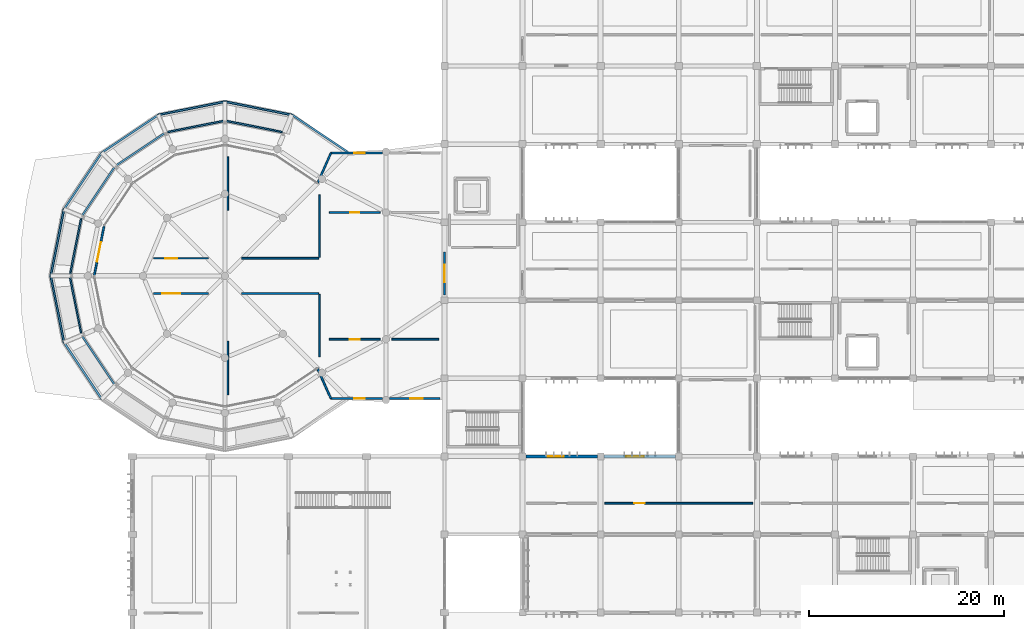
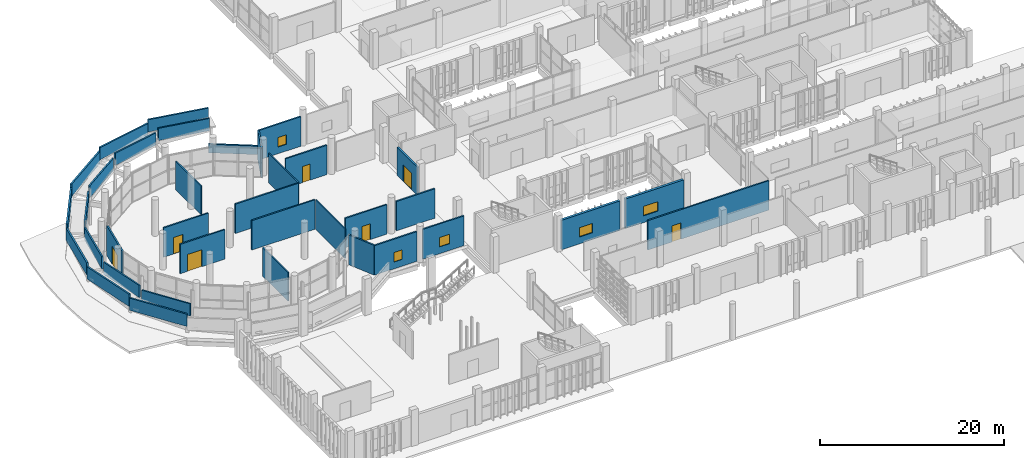
# One storey, part 83 of 117: 36 walls, 7 doors, 5 windows, 12 openings.
"""IFC4 building model written with IfcOpenShell, lengths in metres."""

from ifc_helpers import new_model, si_unit, direction, frame, frame_2d, origin, place, context, subcontext, project, spatial, rectangle, extrude, material, layer, layer_set, type_object, element, fill, save


model = new_model("IFC4")

# Units and contexts
model_context = context("Model", 3, precision=1e-05, world=origin(), true_north=direction((0.0, 1.0)))
body_context = subcontext(model_context, "Body", "Model", "MODEL_VIEW")
ifc_project = project(units=[si_unit("LENGTHUNIT", "METRE"), si_unit("AREAUNIT", "SQUARE_METRE"), si_unit("VOLUMEUNIT", "CUBIC_METRE"), si_unit("PLANEANGLEUNIT", "RADIAN"), si_unit("MASSUNIT", "GRAM", prefix="KILO")], contexts=[model_context])

# Site, building, storey
site_placement = place(None, origin())
site = spatial("IfcSite", under=ifc_project, at=site_placement, CompositionType="ELEMENT")
building_placement = place(site_placement, origin())
building = spatial("IfcBuilding", under=site, at=building_placement, Name="Jelvoka-Kovrelna Polytechnic", CompositionType="ELEMENT")
storey_placement = place(building_placement, origin())
storey = spatial("IfcBuildingStorey", under=building, at=storey_placement, Name="L01", CompositionType="ELEMENT", Elevation=0.0)

# Wall, opening, door
ifc_material_1 = material(Name="Concrete C35/45", Category="concrete")
ifc_layer_1 = layer(ifc_material_1, 0.219970703125)
ifc_layer_set_1 = layer_set([ifc_layer_1], Name="Concrete C35/45")
wall_type_1 = type_object("IfcWallType", Name="Wall_Compartment_220", PredefinedType="PARTITIONING", material=ifc_layer_set_1)
wall_1_placement = place(storey_placement, frame((48.0, 40.550048828125, 0.0), z_axis=(0.0, 0.0, 1.0), x_axis=(0.0, 1.0, 0.0)))
wall_1 = element("IfcWall", 1, at=wall_1_placement, inside=storey, type_object=wall_type_1, Name="L01 interior wall 1326", PredefinedType="PARTITIONING", context=body_context, shape_type="SweptSolid", body=[
    extrude(rectangle(XDim=4.39990234375, YDim=0.219970703125, at=frame_2d((2.199951171875, 0.0))), origin(), (0.0, 0.0, 1.0), 3.760009765625),
])
opening_1_placement = place(wall_1_placement, frame((1.300048828125, 0.0, 0.0)))
opening_1 = element("IfcOpeningElement", 2, at=opening_1_placement, cuts=wall_1, Name="Opening FD-L01-478", PredefinedType="OPENING", context=body_context, shape_type="SweptSolid", body=[
    extrude(rectangle(XDim=1.800048828125, YDim=2.199951171875, at=frame_2d((0.89990234375, 1.10009765625))), frame((0.0, 0.119873046875, 0.0), z_axis=(0.0, -1.0, 0.0), x_axis=(1.0, 0.0, 0.0)), (0.0, 0.0, 1.0), 0.239990234375),
])
ifc_material_2 = material(Name="Paired steel corridor fire door", Category="steel")
door_type_1 = type_object("IfcDoorType", Name="Door_Fire_FD03", OperationType="NOTDEFINED", PredefinedType="DOOR", material=ifc_material_2)
door_1_placement = place(opening_1_placement, origin())
door_1 = element("IfcDoor", 3, at=door_1_placement, inside=storey, type_object=door_type_1, Name="L01 interior door FD-L01-478", OperationType="DOUBLE_DOOR_SINGLE_SWING", OverallHeight=2.199951171875, OverallWidth=1.800048828125, PredefinedType="DOOR", context=body_context, shape_type="SweptSolid", body=[
    extrude(rectangle(XDim=1.800048828125, YDim=2.199951171875, at=frame_2d((0.89990234375, 1.10009765625))), frame((0.0, 0.02490234375, 0.0), z_axis=(0.0, -1.0, 0.0), x_axis=(1.0, 0.0, 0.0)), (0.0, 0.0, 1.0), 0.050048828125),
])
fill(opening_1, door_1)

ifc_material_3 = material(Name="Autoclaved aerated concrete blockwork", Category="masonry")
ifc_layer_2 = layer(ifc_material_3, 0.179931640625)
ifc_layer_set_2 = layer_set([ifc_layer_2], Name="Autoclaved aerated concrete blockwork")
wall_type_2 = type_object("IfcWallType", Name="Wall_Corridor_180", PredefinedType="PARTITIONING", material=ifc_layer_set_2)
wall_2_placement = place(storey_placement, frame((64.429931640625, 19.199951171875, 0.0), z_axis=(0.0, 0.0, 1.0), x_axis=(1.0, 0.0, 0.0)))
wall_2 = element("IfcWall", 4, at=wall_2_placement, inside=storey, type_object=wall_type_2, Name="L01 interior wall 0860", PredefinedType="PARTITIONING", context=body_context, shape_type="SweptSolid", body=[
    extrude(rectangle(XDim=15.14013671875, YDim=0.179931640625, at=frame_2d((7.570068359375, 0.0))), origin(), (0.0, 0.0, 1.0), 3.89990234375),
])
opening_2_placement = place(wall_2_placement, frame((3.030029296875, 0.0, 0.0)))
opening_2 = element("IfcOpeningElement", 5, at=opening_2_placement, cuts=wall_2, Name="Opening D-L01-161", PredefinedType="OPENING", context=body_context, shape_type="SweptSolid", body=[
    extrude(rectangle(XDim=1.080078125, YDim=2.14990234375, at=frame_2d((0.5400390625, 1.074951171875))), frame((0.0, 0.099853515625, 0.0), z_axis=(0.0, -1.0, 0.0), x_axis=(1.0, 0.0, 0.0)), (0.0, 0.0, 1.0), 0.199951171875),
])
ifc_material_4 = material(Name="Hardwood acoustic seminar door", Category="wood")
door_type_2 = type_object("IfcDoorType", Name="Door_Int_D10", OperationType="NOTDEFINED", PredefinedType="DOOR", material=ifc_material_4)
door_2_placement = place(opening_2_placement, origin())
door_2 = element("IfcDoor", 6, at=door_2_placement, inside=storey, type_object=door_type_2, Name="L01 interior door D-L01-161", OperationType="SINGLE_SWING_RIGHT", OverallHeight=2.14990234375, OverallWidth=1.080078125, PredefinedType="DOOR", context=body_context, shape_type="SweptSolid", body=[
    extrude(rectangle(XDim=1.080078125, YDim=2.14990234375, at=frame_2d((0.5400390625, 1.074951171875))), frame((0.0, 0.02490234375, 0.0), z_axis=(0.0, -1.0, 0.0), x_axis=(1.0, 0.0, 0.0)), (0.0, 0.0, 1.0), 0.050048828125),
])
fill(opening_2, door_2)

# Wall
wall_3_placement = place(storey_placement, frame((42.60009765625, 36.0, 0.0), z_axis=(0.0, 0.0, 1.0), x_axis=(1.0, 0.0, 0.0)))
element("IfcWall", 7, at=wall_3_placement, inside=storey, type_object=wall_type_2, Name="L01 interior wall 0921", PredefinedType="PARTITIONING", context=body_context, shape_type="SweptSolid", body=[
    extrude(rectangle(XDim=4.7998046875, YDim=0.179931640625, at=frame_2d((2.39990234375, 0.0))), origin(), (0.0, 0.0, 1.0), 3.89990234375),
])

# Wall, opening, door
wall_4_placement = place(storey_placement, frame((36.199951171875, 36.0, 0.0), z_axis=(0.0, 0.0, 1.0), x_axis=(1.0, 0.0, 0.0)))
wall_4 = element("IfcWall", 8, at=wall_4_placement, inside=storey, type_object=wall_type_2, Name="L01 interior wall 0923", PredefinedType="PARTITIONING", context=body_context, shape_type="SweptSolid", body=[
    extrude(rectangle(XDim=5.199951171875, YDim=0.179931640625, at=frame_2d((2.60009765625, 0.0))), origin(), (0.0, 0.0, 1.0), 3.89990234375),
])
opening_3_placement = place(wall_4_placement, frame((2.090087890625, 0.0, 0.0)))
opening_3 = element("IfcOpeningElement", 9, at=opening_3_placement, cuts=wall_4, Name="Opening D-L01-205", PredefinedType="OPENING", context=body_context, shape_type="SweptSolid", body=[
    extrude(rectangle(XDim=1.02001953125, YDim=2.10009765625, at=frame_2d((0.510009765625, 1.050048828125))), frame((0.0, 0.099853515625, 0.0), z_axis=(0.0, -1.0, 0.0), x_axis=(1.0, 0.0, 0.0)), (0.0, 0.0, 1.0), 0.199951171875),
])
ifc_material_5 = material(Name="Hardwood solid-core door", Category="wood")
door_type_3 = type_object("IfcDoorType", Name="Door_Int_D04", OperationType="NOTDEFINED", PredefinedType="DOOR", material=ifc_material_5)
door_3_placement = place(opening_3_placement, origin())
door_3 = element("IfcDoor", 10, at=door_3_placement, inside=storey, type_object=door_type_3, Name="L01 interior door D-L01-205", OperationType="SINGLE_SWING_RIGHT", OverallHeight=2.10009765625, OverallWidth=1.02001953125, PredefinedType="DOOR", context=body_context, shape_type="SweptSolid", body=[
    extrude(rectangle(XDim=1.02001953125, YDim=2.10009765625, at=frame_2d((0.510009765625, 1.050048828125))), frame((0.0, 0.02490234375, 0.0), z_axis=(0.0, -1.0, 0.0), x_axis=(1.0, 0.0, 0.0)), (0.0, 0.0, 1.0), 0.050048828125),
])
fill(opening_3, door_3)

wall_5_placement = place(storey_placement, frame((36.199951171875, 49.0, 0.0), z_axis=(0.0, 0.0, 1.0), x_axis=(1.0, 0.0, 0.0)))
wall_5 = element("IfcWall", 11, at=wall_5_placement, inside=storey, type_object=wall_type_2, Name="L01 interior wall 0926", PredefinedType="PARTITIONING", context=body_context, shape_type="SweptSolid", body=[
    extrude(rectangle(XDim=5.199951171875, YDim=0.179931640625, at=frame_2d((2.60009765625, 0.0))), origin(), (0.0, 0.0, 1.0), 3.89990234375),
])
opening_4_placement = place(wall_5_placement, frame((2.1201171875, 0.0, 0.0)))
opening_4 = element("IfcOpeningElement", 12, at=opening_4_placement, cuts=wall_5, Name="Opening D-L01-206", PredefinedType="OPENING", context=body_context, shape_type="SweptSolid", body=[
    extrude(rectangle(XDim=0.9599609375, YDim=2.14990234375, at=frame_2d((0.47998046875, 1.074951171875))), frame((0.0, 0.099853515625, 0.0), z_axis=(0.0, -1.0, 0.0), x_axis=(1.0, 0.0, 0.0)), (0.0, 0.0, 1.0), 0.199951171875),
])
ifc_material_6 = material(Name="Hardwood solid-core door", Category="wood")
door_type_4 = type_object("IfcDoorType", Name="Door_Int_D07", OperationType="NOTDEFINED", PredefinedType="DOOR", material=ifc_material_6)
door_4_placement = place(opening_4_placement, origin())
door_4 = element("IfcDoor", 13, at=door_4_placement, inside=storey, type_object=door_type_4, Name="L01 interior door D-L01-206", OperationType="SINGLE_SWING_LEFT", OverallHeight=2.14990234375, OverallWidth=0.9599609375, PredefinedType="DOOR", context=body_context, shape_type="SweptSolid", body=[
    extrude(rectangle(XDim=0.9599609375, YDim=2.14990234375, at=frame_2d((0.47998046875, 1.074951171875))), frame((0.0, 0.02490234375, 0.0), z_axis=(0.0, -1.0, 0.0), x_axis=(1.0, 0.0, 0.0)), (0.0, 0.0, 1.0), 0.050048828125),
])
fill(opening_4, door_4)

# Wall
wall_6_placement = place(storey_placement, frame((27.199951171875, 40.699951171875, 0.0), z_axis=(0.0, 0.0, 1.0), x_axis=(1.0, 0.0, 0.0)))
element("IfcWall", 14, at=wall_6_placement, inside=storey, type_object=wall_type_2, Name="L01 interior wall 0927", PredefinedType="PARTITIONING", context=body_context, shape_type="SweptSolid", body=[
    extrude(rectangle(XDim=7.900146484375, YDim=0.179931640625, at=frame_2d((3.9501953125, 0.0))), origin(), (0.0, 0.0, 1.0), 3.89990234375),
])

# Wall, opening, door
wall_7_placement = place(storey_placement, frame((18.199951171875, 40.699951171875, 0.0), z_axis=(0.0, 0.0, 1.0), x_axis=(1.0, 0.0, 0.0)))
wall_7 = element("IfcWall", 15, at=wall_7_placement, inside=storey, type_object=wall_type_2, Name="L01 interior wall 0929", PredefinedType="PARTITIONING", context=body_context, shape_type="SweptSolid", body=[
    extrude(rectangle(XDim=5.60009765625, YDim=0.179931640625, at=frame_2d((2.800048828125, 0.0))), origin(), (0.0, 0.0, 1.0), 3.89990234375),
])
opening_5_placement = place(wall_7_placement, frame((0.889892578125, 0.0, 0.0)))
opening_5 = element("IfcOpeningElement", 16, at=opening_5_placement, cuts=wall_7, Name="Opening D-L01-207", PredefinedType="OPENING", context=body_context, shape_type="SweptSolid", body=[
    extrude(rectangle(XDim=1.820068359375, YDim=2.25, at=frame_2d((0.91015625, 1.125))), frame((0.0, 0.099853515625, 0.0), z_axis=(0.0, -1.0, 0.0), x_axis=(1.0, 0.0, 0.0)), (0.0, 0.0, 1.0), 0.199951171875),
])
ifc_material_7 = material(Name="Paired hardwood fire-resisting assembly door", Category="wood")
door_type_5 = type_object("IfcDoorType", Name="Door_Fire_FD30_10", OperationType="NOTDEFINED", PredefinedType="DOOR", material=ifc_material_7)
door_5_placement = place(opening_5_placement, origin())
door_5 = element("IfcDoor", 17, at=door_5_placement, inside=storey, type_object=door_type_5, Name="L01 interior door D-L01-207", OperationType="DOUBLE_DOOR_SINGLE_SWING", OverallHeight=2.25, OverallWidth=1.820068359375, PredefinedType="DOOR", context=body_context, shape_type="SweptSolid", body=[
    extrude(rectangle(XDim=1.820068359375, YDim=2.25, at=frame_2d((0.91015625, 1.125))), frame((0.0, 0.02490234375, 0.0), z_axis=(0.0, -1.0, 0.0), x_axis=(1.0, 0.0, 0.0)), (0.0, 0.0, 1.0), 0.050048828125),
])
fill(opening_5, door_5)

# Wall
wall_8_placement = place(storey_placement, frame((27.199951171875, 44.300048828125, 0.0), z_axis=(0.0, 0.0, 1.0), x_axis=(1.0, 0.0, 0.0)))
element("IfcWall", 18, at=wall_8_placement, inside=storey, type_object=wall_type_2, Name="L01 interior wall 0930", PredefinedType="PARTITIONING", context=body_context, shape_type="SweptSolid", body=[
    extrude(rectangle(XDim=7.900146484375, YDim=0.179931640625, at=frame_2d((3.9501953125, 0.0))), origin(), (0.0, 0.0, 1.0), 3.89990234375),
])

# Wall, opening, door
wall_9_placement = place(storey_placement, frame((18.199951171875, 44.300048828125, 0.0), z_axis=(0.0, 0.0, 1.0), x_axis=(1.0, 0.0, 0.0)))
wall_9 = element("IfcWall", 19, at=wall_9_placement, inside=storey, type_object=wall_type_2, Name="L01 interior wall 0932", PredefinedType="PARTITIONING", context=body_context, shape_type="SweptSolid", body=[
    extrude(rectangle(XDim=5.60009765625, YDim=0.179931640625, at=frame_2d((2.800048828125, 0.0))), origin(), (0.0, 0.0, 1.0), 3.89990234375),
])
opening_6_placement = place(wall_9_placement, frame((1.199951171875, 0.0, 0.0)))
opening_6 = element("IfcOpeningElement", 20, at=opening_6_placement, cuts=wall_9, Name="Opening D-L01-208", PredefinedType="OPENING", context=body_context, shape_type="SweptSolid", body=[
    extrude(rectangle(XDim=1.199951171875, YDim=2.199951171875, at=frame_2d((0.60009765625, 1.10009765625))), frame((0.0, 0.099853515625, 0.0), z_axis=(0.0, -1.0, 0.0), x_axis=(1.0, 0.0, 0.0)), (0.0, 0.0, 1.0), 0.199951171875),
])
ifc_material_8 = material(Name="Laboratory vision-panel door", Category="wood")
door_type_6 = type_object("IfcDoorType", Name="Door_Int_D13", OperationType="NOTDEFINED", PredefinedType="DOOR", material=ifc_material_8)
door_6_placement = place(opening_6_placement, origin())
door_6 = element("IfcDoor", 21, at=door_6_placement, inside=storey, type_object=door_type_6, Name="L01 interior door D-L01-208", OperationType="SINGLE_SWING_RIGHT", OverallHeight=2.199951171875, OverallWidth=1.199951171875, PredefinedType="DOOR", context=body_context, shape_type="SweptSolid", body=[
    extrude(rectangle(XDim=1.199951171875, YDim=2.199951171875, at=frame_2d((0.60009765625, 1.10009765625))), frame((0.0, 0.02490234375, 0.0), z_axis=(0.0, -1.0, 0.0), x_axis=(1.0, 0.0, 0.0)), (0.0, 0.0, 1.0), 0.050048828125),
])
fill(opening_6, door_6)

ifc_material_9 = material(Name="Precast concrete C40/50", Category="concrete")
ifc_layer_3 = layer(ifc_material_9, 0.18505859375)
ifc_layer_set_3 = layer_set([ifc_layer_3], Name="Precast concrete C40/50")
wall_type_3 = type_object("IfcWallType", Name="Wall_Ext_White_260", PredefinedType="STANDARD", material=ifc_layer_set_3)
wall_10_placement = place(storey_placement, frame((12.10009765625, 42.5, 0.0), z_axis=(0.0, 0.0, 1.0), x_axis=(0.195092326952, 0.980784881595, 0.0)))
wall_10 = element("IfcWall", 22, at=wall_10_placement, inside=storey, type_object=wall_type_3, Name="L01 exterior wall 0956", PredefinedType="STANDARD", context=body_context, shape_type="SweptSolid", body=[
    extrude(rectangle(XDim=5.228515625, YDim=0.18505859375, at=frame_2d((2.6142578125, 0.0))), origin(), (0.0, 0.0, 1.0), 3.949951171875),
])
opening_7_placement = place(wall_10_placement, frame((1.5, 0.0, 0.0)))
opening_7 = element("IfcOpeningElement", 23, at=opening_7_placement, cuts=wall_10, Name="Opening E-L01-030", PredefinedType="OPENING", context=body_context, shape_type="SweptSolid", body=[
    extrude(rectangle(XDim=2.0, YDim=2.39990234375, at=frame_2d((1.0, 1.199951171875))), frame((0.0, 0.1025390625, 0.0), z_axis=(0.0, -1.0, 0.0), x_axis=(1.0, 0.0, 0.0)), (0.0, 0.0, 1.0), 0.205078125),
])
ifc_material_10 = material(Name="Powder-coated aluminium and laminated safety glass", Category="aluminium")
door_type_7 = type_object("IfcDoorType", Name="Door_Ext_Exit_2000x2400", OperationType="NOTDEFINED", PredefinedType="DOOR", material=ifc_material_10)
door_7_placement = place(opening_7_placement, origin())
door_7 = element("IfcDoor", 24, at=door_7_placement, inside=storey, type_object=door_type_7, Name="L01 exterior door E-L01-030", OperationType="DOUBLE_DOOR_SINGLE_SWING", OverallHeight=2.39990234375, OverallWidth=2.0, PredefinedType="DOOR", context=body_context, shape_type="SweptSolid", body=[
    extrude(rectangle(XDim=2.0, YDim=2.39990234375, at=frame_2d((1.0, 1.199951171875))), frame((0.0, 0.02490234375, 0.0), z_axis=(0.0, -1.0, 0.0), x_axis=(1.0, 0.0, 0.0)), (0.0, 0.0, 1.0), 0.050048828125),
])
fill(opening_7, door_7)

# Wall
wall_11_placement = place(storey_placement, frame((34.97509765625, 51.97509765625, 0.0), z_axis=(0.0, 0.0, 1.0), x_axis=(0.40761125598, 0.913155553013, 0.0)))
element("IfcWall", 25, at=wall_11_placement, inside=storey, type_object=wall_type_3, Name="L01 exterior wall 0957", PredefinedType="STANDARD", context=body_context, shape_type="SweptSolid", body=[
    extrude(rectangle(XDim=3.39794921875, YDim=0.18505859375, at=frame_2d((1.698974609375, 0.0))), origin(), (0.0, 0.0, 1.0), 3.949951171875),
])

# Wall, opening, window
wall_12_placement = place(storey_placement, frame((36.340087890625, 55.077880859375, 0.0), z_axis=(0.0, 0.0, 1.0), x_axis=(1.0, 0.0, 0.0)))
wall_12 = element("IfcWall", 26, at=wall_12_placement, inside=storey, type_object=wall_type_3, Name="L01 exterior wall 0958", PredefinedType="STANDARD", context=body_context, shape_type="SweptSolid", body=[
    extrude(rectangle(XDim=5.287841796875, YDim=0.18505859375, at=frame_2d((2.64404296875, 0.0))), origin(), (0.0, 0.0, 1.0), 3.925048828125),
])
opening_8_placement = place(wall_12_placement, frame((2.409912109375, 0.0, 0.89990234375)))
opening_8 = element("IfcOpeningElement", 27, at=opening_8_placement, cuts=wall_12, Name="Opening W-L01-539", PredefinedType="OPENING", context=body_context, shape_type="SweptSolid", body=[
    extrude(rectangle(XDim=1.050048828125, YDim=1.25, at=frame_2d((0.52490234375, 0.625))), frame((0.0, 0.1025390625, 0.0), z_axis=(0.0, -1.0, 0.0), x_axis=(1.0, 0.0, 0.0)), (0.0, 0.0, 1.0), 0.205078125),
])
ifc_material_11 = material(Name="Thermally broken anodised aluminium and low-e glazing", Category="aluminium")
window_type_1 = type_object("IfcWindowType", Name="Win_Casement_W01", PartitioningType="SINGLE_PANEL", PredefinedType="WINDOW", material=ifc_material_11)
window_1_placement = place(opening_8_placement, origin())
window_1 = element("IfcWindow", 28, at=window_1_placement, inside=storey, type_object=window_type_1, Name="L01 aluminium casement window W-L01-539", OverallHeight=1.25, OverallWidth=1.050048828125, PartitioningType="SINGLE_PANEL", PredefinedType="WINDOW", context=body_context, shape_type="SweptSolid", body=[
    extrude(rectangle(XDim=1.050048828125, YDim=1.25, at=frame_2d((0.52490234375, 0.625))), frame((0.0, 0.030029296875, 0.0), z_axis=(0.0, -1.0, 0.0), x_axis=(1.0, 0.0, 0.0)), (0.0, 0.0, 1.0), 0.06005859375),
])
fill(opening_8, window_1)

# Wall
wall_13_placement = place(storey_placement, frame((36.360107421875, 29.922119140625, 0.0), z_axis=(0.0, 0.0, 1.0), x_axis=(-0.40761125598, 0.913155553013, 0.0)))
element("IfcWall", 29, at=wall_13_placement, inside=storey, type_object=wall_type_3, Name="L01 exterior wall 0960", PredefinedType="STANDARD", context=body_context, shape_type="SweptSolid", body=[
    extrude(rectangle(XDim=3.39794921875, YDim=0.18505859375, at=frame_2d((1.698974609375, 0.0))), origin(), (0.0, 0.0, 1.0), 3.949951171875),
])

# Wall, opening, window
wall_14_placement = place(storey_placement, frame((41.6279296875, 29.922119140625, 0.0), z_axis=(0.0, 0.0, 1.0), x_axis=(-1.0, 0.0, 0.0)))
wall_14 = element("IfcWall", 30, at=wall_14_placement, inside=storey, type_object=wall_type_3, Name="L01 exterior wall 0961", PredefinedType="STANDARD", context=body_context, shape_type="SweptSolid", body=[
    extrude(rectangle(XDim=5.287841796875, YDim=0.18505859375, at=frame_2d((2.64404296875, 0.0))), origin(), (0.0, 0.0, 1.0), 3.925048828125),
])
opening_9_placement = place(wall_14_placement, frame((1.827880859375, 0.0, 0.89990234375)))
opening_9 = element("IfcOpeningElement", 31, at=opening_9_placement, cuts=wall_14, Name="Opening W-L01-541", PredefinedType="OPENING", context=body_context, shape_type="SweptSolid", body=[
    extrude(rectangle(XDim=1.050048828125, YDim=1.25, at=frame_2d((0.52490234375, 0.625))), frame((0.0, 0.1025390625, 0.0), z_axis=(0.0, -1.0, 0.0), x_axis=(1.0, 0.0, 0.0)), (0.0, 0.0, 1.0), 0.205078125),
])
window_2_placement = place(opening_9_placement, origin())
window_2 = element("IfcWindow", 32, at=window_2_placement, inside=storey, type_object=window_type_1, Name="L01 aluminium casement window W-L01-541", OverallHeight=1.25, OverallWidth=1.050048828125, PartitioningType="SINGLE_PANEL", PredefinedType="WINDOW", context=body_context, shape_type="SweptSolid", body=[
    extrude(rectangle(XDim=1.050048828125, YDim=1.25, at=frame_2d((0.52490234375, 0.625))), frame((0.0, 0.030029296875, 0.0), z_axis=(0.0, -1.0, 0.0), x_axis=(1.0, 0.0, 0.0)), (0.0, 0.0, 1.0), 0.06005859375),
])
fill(opening_9, window_2)

wall_15_placement = place(storey_placement, frame((47.550048828125, 29.922119140625, 0.0), z_axis=(0.0, 0.0, 1.0), x_axis=(-1.0, 0.0, 0.0)))
wall_15 = element("IfcWall", 33, at=wall_15_placement, inside=storey, type_object=wall_type_3, Name="L01 exterior wall 0962", PredefinedType="STANDARD", context=body_context, shape_type="SweptSolid", body=[
    extrude(rectangle(XDim=5.177978515625, YDim=0.18505859375, at=frame_2d((2.5888671875, 0.0))), origin(), (0.0, 0.0, 1.0), 3.949951171875),
])
opening_10_placement = place(wall_15_placement, frame((1.800048828125, 0.0, 0.89990234375)))
opening_10 = element("IfcOpeningElement", 34, at=opening_10_placement, cuts=wall_15, Name="Opening W-L01-542", PredefinedType="OPENING", context=body_context, shape_type="SweptSolid", body=[
    extrude(rectangle(XDim=1.25, YDim=1.25, at=frame_2d((0.625, 0.625))), frame((0.0, 0.1025390625, 0.0), z_axis=(0.0, -1.0, 0.0), x_axis=(1.0, 0.0, 0.0)), (0.0, 0.0, 1.0), 0.205078125),
])
ifc_material_12 = material(Name="Thermally broken anodised aluminium and low-e glazing", Category="aluminium")
window_type_2 = type_object("IfcWindowType", Name="Win_Casement_W02", PartitioningType="SINGLE_PANEL", PredefinedType="WINDOW", material=ifc_material_12)
window_3_placement = place(opening_10_placement, origin())
window_3 = element("IfcWindow", 35, at=window_3_placement, inside=storey, type_object=window_type_2, Name="L01 aluminium casement window W-L01-542", OverallHeight=1.25, OverallWidth=1.25, PartitioningType="SINGLE_PANEL", PredefinedType="WINDOW", context=body_context, shape_type="SweptSolid", body=[
    extrude(rectangle(XDim=1.25, YDim=1.25, at=frame_2d((0.625, 0.625))), frame((0.0, 0.030029296875, 0.0), z_axis=(0.0, -1.0, 0.0), x_axis=(1.0, 0.0, 0.0)), (0.0, 0.0, 1.0), 0.06005859375),
])
fill(opening_10, window_3)

ifc_material_13 = material(Name="Precast concrete C40/50", Category="concrete")
ifc_layer_4 = layer(ifc_material_13, 0.300048828125)
ifc_layer_set_4 = layer_set([ifc_layer_4], Name="Precast concrete C40/50")
wall_type_4 = type_object("IfcWallType", Name="Wall_Ext_White_300", PredefinedType="STANDARD", material=ifc_layer_set_4)
wall_16_placement = place(storey_placement, frame((56.346923828125, 24.0, 0.0), z_axis=(0.0, 0.0, 1.0), x_axis=(1.0, 0.0, 0.0)))
wall_16 = element("IfcWall", 36, at=wall_16_placement, inside=storey, type_object=wall_type_4, Name="L01 exterior wall 0231", PredefinedType="STANDARD", context=body_context, shape_type="SweptSolid", body=[
    extrude(rectangle(XDim=7.30615234375, YDim=0.300048828125, at=frame_2d((3.653076171875, 0.0))), origin(), (0.0, 0.0, 1.0), 3.909912109375),
])
opening_11_placement = place(wall_16_placement, frame((2.23291015625, 0.0, 0.89990234375)))
opening_11 = element("IfcOpeningElement", 37, at=opening_11_placement, cuts=wall_16, Name="Opening W-L01-002", PredefinedType="OPENING", context=body_context, shape_type="SweptSolid", body=[
    extrude(rectangle(XDim=1.64990234375, YDim=1.25, at=frame_2d((0.824951171875, 0.625))), frame((0.0, 0.159912109375, 0.0), z_axis=(0.0, -1.0, 0.0), x_axis=(1.0, 0.0, 0.0)), (0.0, 0.0, 1.0), 0.320068359375),
])
ifc_material_14 = material(Name="Thermally broken anodised aluminium and low-e glazing", Category="aluminium")
window_type_3 = type_object("IfcWindowType", Name="Win_Casement_W04", PartitioningType="DOUBLE_PANEL_VERTICAL", PredefinedType="WINDOW", material=ifc_material_14)
window_4_placement = place(opening_11_placement, origin())
window_4 = element("IfcWindow", 38, at=window_4_placement, inside=storey, type_object=window_type_3, Name="L01 aluminium casement window W-L01-002", OverallHeight=1.25, OverallWidth=1.64990234375, PartitioningType="DOUBLE_PANEL_VERTICAL", PredefinedType="WINDOW", context=body_context, shape_type="SweptSolid", body=[
    extrude(rectangle(XDim=1.64990234375, YDim=1.25, at=frame_2d((0.824951171875, 0.625))), frame((0.0, 0.030029296875, 0.0), z_axis=(0.0, -1.0, 0.0), x_axis=(1.0, 0.0, 0.0)), (0.0, 0.0, 1.0), 0.06005859375),
])
fill(opening_11, window_4)

wall_17_placement = place(storey_placement, frame((64.346923828125, 24.0, 0.0), z_axis=(0.0, 0.0, 1.0), x_axis=(1.0, 0.0, 0.0)))
wall_17 = element("IfcWall", 39, at=wall_17_placement, inside=storey, type_object=wall_type_4, Name="L01 exterior wall 0233", PredefinedType="STANDARD", context=body_context, shape_type="SweptSolid", body=[
    extrude(rectangle(XDim=7.30615234375, YDim=0.300048828125, at=frame_2d((3.653076171875, 0.0))), origin(), (0.0, 0.0, 1.0), 3.909912109375),
])
opening_12_placement = place(wall_17_placement, frame((2.23291015625, 0.0, 0.89990234375)))
opening_12 = element("IfcOpeningElement", 40, at=opening_12_placement, cuts=wall_17, Name="Opening W-L01-003", PredefinedType="OPENING", context=body_context, shape_type="SweptSolid", body=[
    extrude(rectangle(XDim=1.85009765625, YDim=1.25, at=frame_2d((0.925048828125, 0.625))), frame((0.0, 0.159912109375, 0.0), z_axis=(0.0, -1.0, 0.0), x_axis=(1.0, 0.0, 0.0)), (0.0, 0.0, 1.0), 0.320068359375),
])
ifc_material_15 = material(Name="Thermally broken anodised aluminium and low-e glazing", Category="aluminium")
window_type_4 = type_object("IfcWindowType", Name="Win_Casement_W05", PartitioningType="DOUBLE_PANEL_VERTICAL", PredefinedType="WINDOW", material=ifc_material_15)
window_5_placement = place(opening_12_placement, origin())
window_5 = element("IfcWindow", 41, at=window_5_placement, inside=storey, type_object=window_type_4, Name="L01 aluminium casement window W-L01-003", OverallHeight=1.25, OverallWidth=1.85009765625, PartitioningType="DOUBLE_PANEL_VERTICAL", PredefinedType="WINDOW", context=body_context, shape_type="SweptSolid", body=[
    extrude(rectangle(XDim=1.85009765625, YDim=1.25, at=frame_2d((0.925048828125, 0.625))), frame((0.0, 0.030029296875, 0.0), z_axis=(0.0, -1.0, 0.0), x_axis=(1.0, 0.0, 0.0)), (0.0, 0.0, 1.0), 0.06005859375),
])
fill(opening_12, window_5)

# Walls
ifc_material_16 = material(Name="Precast concrete C40/50", Category="concrete")
ifc_layer_5 = layer(ifc_material_16, 0.179931640625)
ifc_layer_set_5 = layer_set([ifc_layer_5], Name="Precast concrete C40/50")
wall_type_5 = type_object("IfcWallType", Name="Wall_Parapet_180", PredefinedType="PARAPET", material=ifc_layer_set_5)
wall_18_placement = place(storey_placement, frame((14.168212890625, 31.389892578125, 1.449951171875), z_axis=(0.0, 0.0, 1.0), x_axis=(-0.555580797046, 0.831462553548, 0.0)))
element("IfcWall", 42, at=wall_18_placement, inside=storey, type_object=wall_type_5, Name="L01 exterior wall 1046", PredefinedType="PARAPET", context=body_context, shape_type="SweptSolid", body=[
    extrude(rectangle(XDim=5.884033203125, YDim=0.179931640625, at=frame_2d((2.94189453125, 0.0))), origin(), (0.0, 0.0, 1.0), 1.6201171875),
])
for number, where, z_axis, x_axis, name in (
    (43, (10.779052734375, 36.572265625, 1.929931640625), (0.0, 0.0, 1.0), (-0.195102630459, 0.980782832021, 0.0), "L01 exterior wall 1048"),
    (44, (9.631103515625, 42.656982421875, 2.409912109375), (0.0, 0.0, 1.0), (0.195102630459, 0.980782832021, 0.0), "L01 exterior wall 1050"),
):
    element("IfcWall", number, at=place(storey_placement, frame(where, z_axis=z_axis, x_axis=x_axis)), inside=storey, type_object=wall_type_5, Name=name, PredefinedType="PARAPET", context=body_context, shape_type="SweptSolid", body=[
        extrude(rectangle(XDim=5.8837890625, YDim=0.179931640625, at=frame_2d((2.94189453125, 0.0))), origin(), (0.0, 0.0, 1.0), 1.6201171875),
    ])
wall_19_placement = place(storey_placement, frame((10.899169921875, 48.7177734375, 2.889892578125), z_axis=(0.0, 0.0, 1.0), x_axis=(0.555580797046, 0.831462553548, 0.0)))
element("IfcWall", 45, at=wall_19_placement, inside=storey, type_object=wall_type_5, Name="L01 exterior wall 1052", PredefinedType="PARAPET", context=body_context, shape_type="SweptSolid", body=[
    extrude(rectangle(XDim=5.884033203125, YDim=0.179931640625, at=frame_2d((2.94189453125, 0.0))), origin(), (0.0, 0.0, 1.0), 1.6201171875),
])
wall_20_placement = place(storey_placement, frame((14.389892578125, 53.831787109375, 3.3701171875), z_axis=(0.0, 0.0, 1.0), x_axis=(0.831462553548, 0.555580797046, 0.0)))
element("IfcWall", 46, at=wall_20_placement, inside=storey, type_object=wall_type_5, Name="L01 exterior wall 1054", PredefinedType="PARAPET", context=body_context, shape_type="SweptSolid", body=[
    extrude(rectangle(XDim=5.884033203125, YDim=0.179931640625, at=frame_2d((2.94189453125, 0.0))), origin(), (0.0, 0.0, 1.0), 1.619873046875),
])
for number, where, z_axis, x_axis, name in (
    (47, (19.572265625, 57.220947265625, 3.85009765625), (0.0, 0.0, 1.0), (0.980782832021, 0.195102630459, 0.0), "L01 exterior wall 1056"),
    (48, (25.656982421875, 58.368896484375, 4.330078125), (0.0, 0.0, 1.0), (0.980782832021, -0.195102630459, 0.0), "L01 exterior wall 1058"),
):
    element("IfcWall", number, at=place(storey_placement, frame(where, z_axis=z_axis, x_axis=x_axis)), inside=storey, type_object=wall_type_5, Name=name, PredefinedType="PARAPET", context=body_context, shape_type="SweptSolid", body=[
        extrude(rectangle(XDim=5.8837890625, YDim=0.179931640625, at=frame_2d((2.94189453125, 0.0))), origin(), (0.0, 0.0, 1.0), 1.619873046875),
    ])
ifc_material_17 = material(Name="Precast concrete C40/50", Category="concrete")
ifc_layer_6 = layer(ifc_material_17, 0.199951171875)
ifc_layer_set_6 = layer_set([ifc_layer_6], Name="Precast concrete C40/50")
wall_type_6 = type_object("IfcWallType", Name="Wall_Parapet_200", PredefinedType="PARAPET", material=ifc_layer_set_6)
wall_21_placement = place(storey_placement, frame((38.14306640625, 55.14306640625, 0.0), z_axis=(0.0, 0.0, 1.0), x_axis=(-0.831468390799, 0.555572061125, 0.0)))
element("IfcWall", 49, at=wall_21_placement, inside=storey, type_object=wall_type_6, Name="L01 exterior wall 0954", PredefinedType="PARAPET", context=body_context, shape_type="SweptSolid", body=[
    extrude(rectangle(XDim=6.9765625, YDim=0.199951171875, at=frame_2d((3.48828125, 0.0))), origin(), (0.0, 0.0, 1.0), 1.14990234375),
])
wall_22_placement = place(storey_placement, frame((12.878173828125, 29.878173828125, 1.449951171875), z_axis=(0.0, 0.0, 1.0), x_axis=(-0.555565451838, 0.831472806966, 0.0)))
element("IfcWall", 50, at=wall_22_placement, inside=storey, type_object=wall_type_6, Name="L01 exterior wall 1045", PredefinedType="PARAPET", context=body_context, shape_type="SweptSolid", body=[
    extrude(rectangle(XDim=6.96484375, YDim=0.199951171875, at=frame_2d((3.482421875, 0.0))), origin(), (0.0, 0.0, 1.0), 1.6201171875),
])
for number, where, z_axis, x_axis, name in (
    (51, (9.0087890625, 35.669189453125, 1.929931640625), (0.0, 0.0, 1.0), (-0.19511159502, 0.9807810487, 0.0), "L01 exterior wall 1047"),
    (52, (7.64990234375, 42.5, 2.409912109375), (0.0, 0.0, 1.0), (0.19511159502, 0.9807810487, 0.0), "L01 exterior wall 1049"),
):
    element("IfcWall", number, at=place(storey_placement, frame(where, z_axis=z_axis, x_axis=x_axis)), inside=storey, type_object=wall_type_6, Name=name, PredefinedType="PARAPET", context=body_context, shape_type="SweptSolid", body=[
        extrude(rectangle(XDim=6.964599609375, YDim=0.199951171875, at=frame_2d((3.482421875, 0.0))), origin(), (0.0, 0.0, 1.0), 1.6201171875),
    ])
wall_23_placement = place(storey_placement, frame((9.0087890625, 49.330810546875, 2.889892578125), z_axis=(0.0, 0.0, 1.0), x_axis=(0.555565451838, 0.831472806966, 0.0)))
element("IfcWall", 53, at=wall_23_placement, inside=storey, type_object=wall_type_6, Name="L01 exterior wall 1051", PredefinedType="PARAPET", context=body_context, shape_type="SweptSolid", body=[
    extrude(rectangle(XDim=6.96484375, YDim=0.199951171875, at=frame_2d((3.482421875, 0.0))), origin(), (0.0, 0.0, 1.0), 1.6201171875),
])
wall_24_placement = place(storey_placement, frame((12.878173828125, 55.121826171875, 3.3701171875), z_axis=(0.0, 0.0, 1.0), x_axis=(0.831472806966, 0.555565451838, 0.0)))
element("IfcWall", 54, at=wall_24_placement, inside=storey, type_object=wall_type_6, Name="L01 exterior wall 1053", PredefinedType="PARAPET", context=body_context, shape_type="SweptSolid", body=[
    extrude(rectangle(XDim=6.96484375, YDim=0.199951171875, at=frame_2d((3.482421875, 0.0))), origin(), (0.0, 0.0, 1.0), 1.619873046875),
])
for number, where, z_axis, x_axis, name in (
    (55, (18.669189453125, 58.9912109375, 3.85009765625), (0.0, 0.0, 1.0), (0.9807810487, 0.19511159502, 0.0), "L01 exterior wall 1055"),
    (56, (25.5, 60.35009765625, 4.330078125), (0.0, 0.0, 1.0), (0.9807810487, -0.19511159502, 0.0), "L01 exterior wall 1057"),
):
    element("IfcWall", number, at=place(storey_placement, frame(where, z_axis=z_axis, x_axis=x_axis)), inside=storey, type_object=wall_type_6, Name=name, PredefinedType="PARAPET", context=body_context, shape_type="SweptSolid", body=[
        extrude(rectangle(XDim=6.964599609375, YDim=0.199951171875, at=frame_2d((3.482421875, 0.0))), origin(), (0.0, 0.0, 1.0), 1.619873046875),
    ])
ifc_material_18 = material(Name="Autoclaved aerated concrete blockwork", Category="masonry")
ifc_layer_7 = layer(ifc_material_18, 0.14990234375)
ifc_layer_set_7 = layer_set([ifc_layer_7], Name="Autoclaved aerated concrete blockwork")
wall_type_7 = type_object("IfcWallType", Name="Wall_Partition_150", PredefinedType="PARTITIONING", material=ifc_layer_set_7)
for number, where, z_axis, x_axis, name in (
    (57, (25.800048828125, 30.300048828125, 0.0), (0.0, 0.0, 1.0), (0.0, 1.0, 0.0), "L01 interior wall 0922"),
    (58, (25.800048828125, 49.199951171875, 0.0), (0.0, 0.0, 1.0), (0.0, 1.0, 0.0), "L01 interior wall 0925"),
):
    element("IfcWall", number, at=place(storey_placement, frame(where, z_axis=z_axis, x_axis=x_axis)), inside=storey, type_object=wall_type_7, Name=name, PredefinedType="PARTITIONING", context=body_context, shape_type="SweptSolid", body=[
        extrude(rectangle(XDim=5.5, YDim=0.14990234375, at=frame_2d((2.75, 0.0))), origin(), (0.0, 0.0, 1.0), 3.77490234375),
    ])
for number, where, z_axis, x_axis, name in (
    (59, (35.199951171875, 34.199951171875, 0.0), (0.0, 0.0, 1.0), (0.0, 1.0, 0.0), "L01 interior wall 0928"),
    (60, (35.199951171875, 44.39990234375, 0.0), (0.0, 0.0, 1.0), (0.0, 1.0, 0.0), "L01 interior wall 0931"),
):
    element("IfcWall", number, at=place(storey_placement, frame(where, z_axis=z_axis, x_axis=x_axis)), inside=storey, type_object=wall_type_7, Name=name, PredefinedType="PARTITIONING", context=body_context, shape_type="SweptSolid", body=[
        extrude(rectangle(XDim=6.400146484375, YDim=0.14990234375, at=frame_2d((3.2001953125, 0.0))), origin(), (0.0, 0.0, 1.0), 3.89990234375),
    ])

save(model, "model.ifc")
